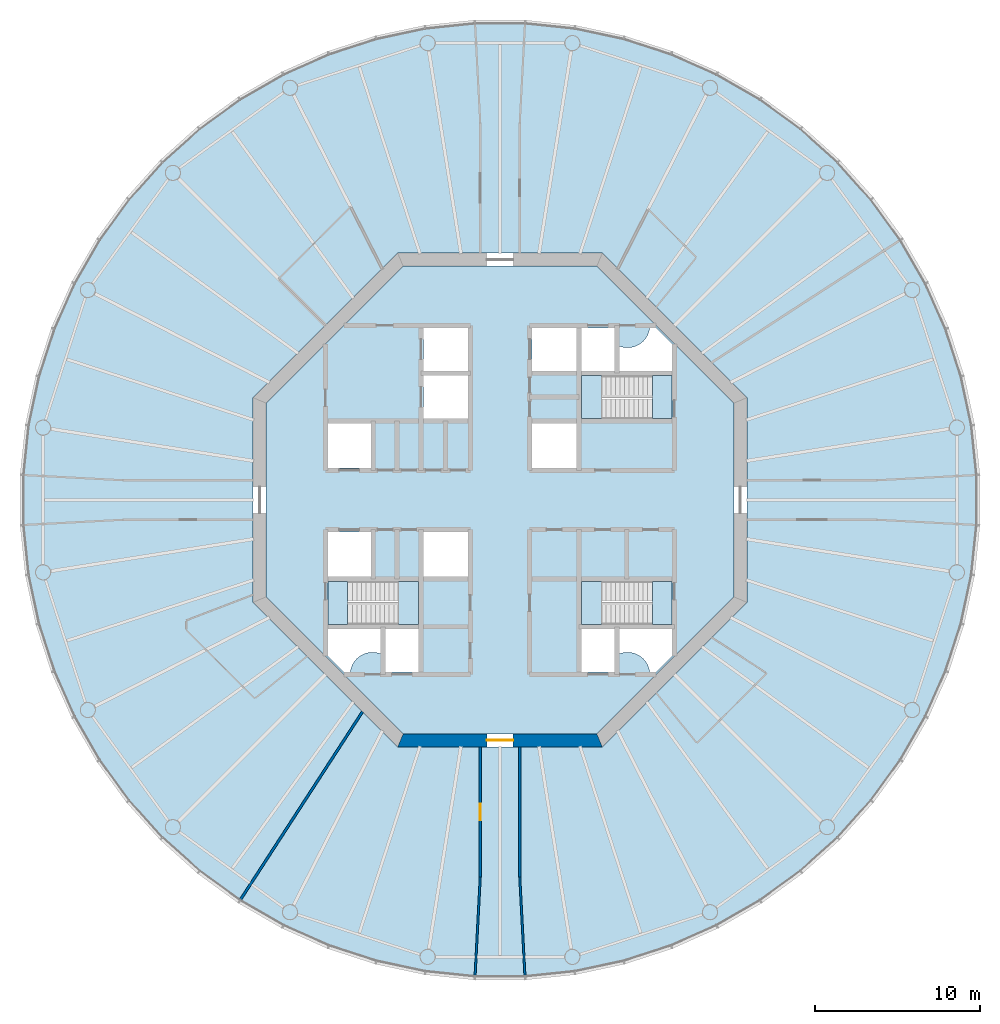
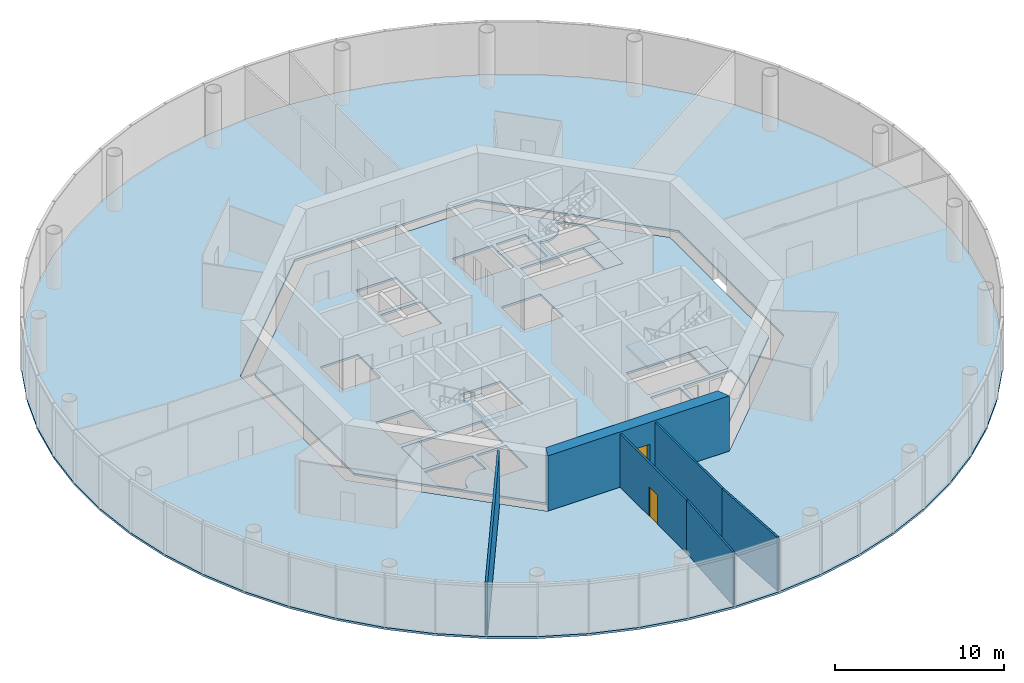
# One storey, part 2 of 13: 8 slabs, 6 walls, 2 doors, 2 openings, 3 elements without a shape of their own.
"""IFC4 building model written with IfcOpenShell, lengths in metres."""

from ifc_helpers import new_model, si_unit, direction, frame, frame_2d, origin, place, context, subcontext, project, spatial, polyline, rectangle, outline, extrude, material, layer, layer_set, type_object, element, fill, aggregate, save


model = new_model("IFC4")

# Units and contexts
model_context = context("Model", 3, precision=1e-05, world=origin(), true_north=direction((0.0, 1.0)))
body_context = subcontext(model_context, "Body", "Model", "MODEL_VIEW")
ifc_project = project(units=[si_unit("LENGTHUNIT", "METRE"), si_unit("AREAUNIT", "SQUARE_METRE"), si_unit("VOLUMEUNIT", "CUBIC_METRE"), si_unit("PLANEANGLEUNIT", "RADIAN"), si_unit("MASSUNIT", "GRAM", prefix="KILO")], contexts=[model_context])

# Site, building, storey
site_placement = place(None, origin())
site = spatial("IfcSite", under=ifc_project, at=site_placement, CompositionType="ELEMENT")
building_placement = place(site_placement, origin())
building = spatial("IfcBuilding", under=site, at=building_placement, Name="Entoto Ring Tower", CompositionType="ELEMENT")
storey_placement = place(building_placement, frame((0.0, 0.0, 298.0)))
storey = spatial("IfcBuildingStorey", under=building, at=storey_placement, Name="L68", CompositionType="ELEMENT", Elevation=298.0)

# Slabs
ifc_material_1 = material(Name="Concrete C30/37", Category="concrete")
ifc_layer_1 = layer(ifc_material_1, 0.14990234375)
ifc_layer_set_1 = layer_set([ifc_layer_1], Name="Concrete C30/37")
slab_type_1 = type_object("IfcSlabType", Name="Composite floor slab 150 mm", PredefinedType="FLOOR", material=ifc_layer_set_1)
slab_1_placement = place(storey_placement, frame((0.0, 0.0, -0.14990234375)))
element("IfcSlab", 1, at=slab_1_placement, inside=storey, type_object=slab_type_1, Name="Floor slab L68", PredefinedType="FLOOR", context=body_context, shape_type="SweptSolid", body=[
    extrude(outline(polyline([(118.74169921875, 84.55224609375), (118.1083984375, 87.53173828125), (117.167236328125, 90.428466796875), (115.92822265625, 93.211181640625), (114.4052734375, 95.848876953125), (112.614990234375, 98.313232421875), (110.576904296875, 100.576904296875), (108.313232421875, 102.614990234375), (105.848876953125, 104.4052734375), (103.211181640625, 105.92822265625), (100.428466796875, 107.167236328125), (97.53173828125, 108.1083984375), (94.55224609375, 108.74169921875), (91.52294921875, 109.06005859375), (88.47705078125, 109.06005859375), (85.44775390625, 108.74169921875), (82.46826171875, 108.1083984375), (79.571533203125, 107.167236328125), (76.788818359375, 105.92822265625), (74.151123046875, 104.4052734375), (71.686767578125, 102.614990234375), (69.423095703125, 100.576904296875), (67.385009765625, 98.313232421875), (65.5947265625, 95.848876953125), (64.07177734375, 93.211181640625), (62.832763671875, 90.428466796875), (61.8916015625, 87.53173828125), (61.25830078125, 84.55224609375), (60.93994140625, 81.52294921875), (60.93994140625, 78.47705078125), (61.25830078125, 75.44775390625), (61.8916015625, 72.46826171875), (62.832763671875, 69.571533203125), (64.07177734375, 66.788818359375), (65.5947265625, 64.151123046875), (67.385009765625, 61.686767578125), (69.423095703125, 59.423095703125), (71.686767578125, 57.385009765625), (74.151123046875, 55.5947265625), (76.788818359375, 54.07177734375), (79.571533203125, 52.832763671875), (82.46826171875, 51.8916015625), (85.44775390625, 51.25830078125), (88.47705078125, 50.93994140625), (91.52294921875, 50.93994140625), (94.55224609375, 51.25830078125), (97.53173828125, 51.8916015625), (100.428466796875, 52.832763671875), (103.211181640625, 54.07177734375), (105.848876953125, 55.5947265625), (108.313232421875, 57.385009765625), (110.576904296875, 59.423095703125), (112.614990234375, 61.686767578125), (114.4052734375, 64.151123046875), (115.92822265625, 66.788818359375), (117.167236328125, 69.571533203125), (118.1083984375, 72.46826171875), (118.74169921875, 75.44775390625), (119.06005859375, 78.47705078125), (119.06005859375, 81.52294921875), (118.74169921875, 84.55224609375)]), holes=[polyline([(105.0, 73.786865234375), (105.0, 86.213134765625), (96.213134765625, 95.0), (83.786865234375, 95.0), (75.0, 86.213134765625), (75.0, 73.786865234375), (83.786865234375, 65.0), (96.213134765625, 65.0), (105.0, 73.786865234375)])]), origin(), (0.0, 0.0, 1.0), 0.14990234375),
])
ifc_material_2 = material(Name="Concrete C40/50", Category="concrete")
ifc_layer_2 = layer(ifc_material_2, 0.14990234375)
ifc_layer_set_2 = layer_set([ifc_layer_2], Name="Concrete C40/50")
slab_type_2 = type_object("IfcSlabType", Name="Core floor slab 150 mm reinforced concrete C40/50", PredefinedType="FLOOR", material=ifc_layer_set_2)
slab_2_placement = place(storey_placement, frame((0.0, 0.0, -0.14990234375)))
element("IfcSlab", 2, at=slab_2_placement, inside=storey, type_object=slab_type_2, Name="Core floor L68", PredefinedType="FLOOR", context=body_context, shape_type="SweptSolid", body=[
    extrude(outline(polyline([(104.199951171875, 74.1181640625), (104.199951171875, 85.8818359375), (95.8818359375, 94.199951171875), (84.1181640625, 94.199951171875), (75.800048828125, 85.8818359375), (75.800048828125, 74.1181640625), (84.1181640625, 65.800048828125), (95.8818359375, 65.800048828125), (104.199951171875, 74.1181640625)]), holes=[polyline([(100.449951171875, 84.949951171875), (100.449951171875, 87.550048828125), (94.949951171875, 87.550048828125), (94.949951171875, 84.949951171875), (100.449951171875, 84.949951171875)]), polyline([(85.050048828125, 72.449951171875), (85.050048828125, 75.050048828125), (79.550048828125, 75.050048828125), (79.550048828125, 72.449951171875), (85.050048828125, 72.449951171875)]), polyline([(100.449951171875, 72.449951171875), (100.449951171875, 75.050048828125), (94.949951171875, 75.050048828125), (94.949951171875, 72.449951171875), (100.449951171875, 72.449951171875)]), polyline([(94.949951171875, 90.449951171875), (94.949951171875, 87.85009765625), (96.949951171875, 87.85009765625), (96.949951171875, 90.449951171875), (94.949951171875, 90.449951171875)]), polyline([(94.949951171875, 72.14990234375), (94.949951171875, 69.550048828125), (96.949951171875, 69.550048828125), (96.949951171875, 72.14990234375), (94.949951171875, 72.14990234375)]), polyline([(83.050048828125, 72.14990234375), (83.050048828125, 69.550048828125), (85.050048828125, 69.550048828125), (85.050048828125, 72.14990234375), (83.050048828125, 72.14990234375)]), polyline([(79.550048828125, 81.949951171875), (82.14990234375, 81.949951171875), (82.14990234375, 84.64990234375), (79.550048828125, 84.64990234375), (79.550048828125, 81.949951171875)]), polyline([(79.550048828125, 75.35009765625), (82.14990234375, 75.35009765625), (82.14990234375, 78.050048828125), (79.550048828125, 78.050048828125), (79.550048828125, 75.35009765625)]), polyline([(91.949951171875, 87.85009765625), (94.64990234375, 87.85009765625), (94.64990234375, 90.449951171875), (91.949951171875, 90.449951171875), (91.949951171875, 87.85009765625)]), polyline([(91.949951171875, 81.949951171875), (94.64990234375, 81.949951171875), (94.64990234375, 84.64990234375), (91.949951171875, 84.64990234375), (91.949951171875, 81.949951171875)]), polyline([(85.35009765625, 75.35009765625), (88.050048828125, 75.35009765625), (88.050048828125, 78.050048828125), (85.35009765625, 78.050048828125), (85.35009765625, 75.35009765625)]), polyline([(85.35009765625, 84.949951171875), (88.050048828125, 84.949951171875), (88.050048828125, 87.550048828125), (85.35009765625, 87.550048828125), (85.35009765625, 84.949951171875)]), polyline([(85.35009765625, 87.85009765625), (88.050048828125, 87.85009765625), (88.050048828125, 90.449951171875), (85.35009765625, 90.449951171875), (85.35009765625, 87.85009765625)]), polyline([(97.199951171875, 89.368408203125), (97.199951171875, 87.800048828125), (100.5, 87.800048828125), (100.5, 89.4404296875), (99.4404296875, 90.5), (99.09521484375, 90.5), (99.093505859375, 90.4677734375), (99.07421875, 90.336669921875), (99.0419921875, 90.2080078125), (98.997314453125, 90.08349609375), (98.940673828125, 89.963623046875), (98.87255859375, 89.85009765625), (98.793701171875, 89.74365234375), (98.70458984375, 89.6455078125), (98.6064453125, 89.556396484375), (98.5, 89.4775390625), (98.386474609375, 89.409423828125), (98.2666015625, 89.352783203125), (98.141845703125, 89.30810546875), (98.013427734375, 89.27587890625), (97.88232421875, 89.256591796875), (97.75, 89.25), (97.61767578125, 89.256591796875), (97.486572265625, 89.27587890625), (97.358154296875, 89.30810546875), (97.2333984375, 89.352783203125), (97.199951171875, 89.368408203125)]), polyline([(80.5595703125, 69.5), (80.90478515625, 69.5), (80.906494140625, 69.5322265625), (80.92578125, 69.663330078125), (80.9580078125, 69.7919921875), (81.002685546875, 69.91650390625), (81.059326171875, 70.036376953125), (81.12744140625, 70.14990234375), (81.206298828125, 70.25634765625), (81.29541015625, 70.3544921875), (81.3935546875, 70.443603515625), (81.5, 70.5224609375), (81.613525390625, 70.590576171875), (81.7333984375, 70.647216796875), (81.858154296875, 70.69189453125), (81.986572265625, 70.72412109375), (82.11767578125, 70.743408203125), (82.25, 70.75), (82.38232421875, 70.743408203125), (82.513427734375, 70.72412109375), (82.641845703125, 70.69189453125), (82.7666015625, 70.647216796875), (82.800048828125, 70.631591796875), (82.800048828125, 72.199951171875), (79.5, 72.199951171875), (79.5, 70.5595703125), (80.5595703125, 69.5)]), polyline([(99.09521484375, 69.5), (99.4404296875, 69.5), (100.5, 70.5595703125), (100.5, 72.199951171875), (97.199951171875, 72.199951171875), (97.199951171875, 70.631591796875), (97.2333984375, 70.647216796875), (97.358154296875, 70.69189453125), (97.486572265625, 70.72412109375), (97.61767578125, 70.743408203125), (97.75, 70.75), (97.88232421875, 70.743408203125), (98.013427734375, 70.72412109375), (98.141845703125, 70.69189453125), (98.2666015625, 70.647216796875), (98.386474609375, 70.590576171875), (98.5, 70.5224609375), (98.6064453125, 70.443603515625), (98.70458984375, 70.3544921875), (98.793701171875, 70.25634765625), (98.87255859375, 70.14990234375), (98.940673828125, 70.036376953125), (98.997314453125, 69.91650390625), (99.0419921875, 69.7919921875), (99.07421875, 69.663330078125), (99.093505859375, 69.5322265625), (99.09521484375, 69.5)])]), origin(), (0.0, 0.0, 1.0), 0.14990234375),
])

# Stair, slabs
ifc_material_3 = material(Name="Concrete C40/50", Category="concrete")
stair_type = type_object("IfcStairType", Name="Exit stair 1200 mm dog-leg reinforced concrete", PredefinedType="HALF_TURN_STAIR", material=ifc_material_3)
stair_1_placement = place(storey_placement, origin())
stair_1 = element("IfcStair", 3, at=stair_1_placement, inside=storey, type_object=stair_type, Name="Exit stair 1", PredefinedType="HALF_TURN_STAIR")
ifc_material_4 = material(Name="Concrete C40/50", Category="concrete")
ifc_layer_3 = layer(ifc_material_4, 0.199951171875)
ifc_layer_set_3 = layer_set([ifc_layer_3], Name="Concrete C40/50")
slab_type_3 = type_object("IfcSlabType", Name="Stair landing 200 mm reinforced concrete", PredefinedType="LANDING", material=ifc_layer_set_3)
slab_3_placement = place(storey_placement, frame((0.0, 0.0, -0.199951171875)))
slab_3 = element("IfcSlab", 4, at=slab_3_placement, type_object=slab_type_3, Name="ST1 landing 1", PredefinedType="LANDING", context=body_context, shape_type="SweptSolid", body=[
    extrude(outline(polyline([(100.449951171875, 84.949951171875), (100.449951171875, 87.550048828125), (99.25, 87.550048828125), (99.25, 84.949951171875), (100.449951171875, 84.949951171875)])), origin(), (0.0, 0.0, 1.0), 0.199951171875),
])
slab_4_placement = place(storey_placement, frame((0.0, 0.0, 1.800048828125)))
slab_4 = element("IfcSlab", 5, at=slab_4_placement, type_object=slab_type_3, Name="ST1 landing 2", PredefinedType="LANDING", context=body_context, shape_type="SweptSolid", body=[
    extrude(outline(polyline([(94.949951171875, 84.949951171875), (96.169921875, 84.949951171875), (96.169921875, 87.550048828125), (94.949951171875, 87.550048828125), (94.949951171875, 84.949951171875)])), origin(), (0.0, 0.0, 1.0), 0.199951171875),
])
aggregate(stair_1, [slab_3, slab_4])

stair_2_placement = place(storey_placement, origin())
stair_2 = element("IfcStair", 6, at=stair_2_placement, inside=storey, type_object=stair_type, Name="Exit stair 2", PredefinedType="HALF_TURN_STAIR")
slab_5_placement = place(storey_placement, frame((0.0, 0.0, -0.199951171875)))
slab_5 = element("IfcSlab", 7, at=slab_5_placement, type_object=slab_type_3, Name="ST2 landing 1", PredefinedType="LANDING", context=body_context, shape_type="SweptSolid", body=[
    extrude(outline(polyline([(80.75, 72.449951171875), (80.75, 75.050048828125), (79.550048828125, 75.050048828125), (79.550048828125, 72.449951171875), (80.75, 72.449951171875)])), origin(), (0.0, 0.0, 1.0), 0.199951171875),
])
slab_6_placement = place(storey_placement, frame((0.0, 0.0, 1.800048828125)))
slab_6 = element("IfcSlab", 8, at=slab_6_placement, type_object=slab_type_3, Name="ST2 landing 2", PredefinedType="LANDING", context=body_context, shape_type="SweptSolid", body=[
    extrude(outline(polyline([(83.830078125, 72.449951171875), (85.050048828125, 72.449951171875), (85.050048828125, 75.050048828125), (83.830078125, 75.050048828125), (83.830078125, 72.449951171875)])), origin(), (0.0, 0.0, 1.0), 0.199951171875),
])
aggregate(stair_2, [slab_5, slab_6])

stair_3_placement = place(storey_placement, origin())
stair_3 = element("IfcStair", 9, at=stair_3_placement, inside=storey, type_object=stair_type, Name="Exit stair 3", PredefinedType="HALF_TURN_STAIR")
slab_7_placement = place(storey_placement, frame((0.0, 0.0, -0.199951171875)))
slab_7 = element("IfcSlab", 10, at=slab_7_placement, type_object=slab_type_3, Name="ST3 landing 1", PredefinedType="LANDING", context=body_context, shape_type="SweptSolid", body=[
    extrude(outline(polyline([(100.449951171875, 72.449951171875), (100.449951171875, 75.050048828125), (99.25, 75.050048828125), (99.25, 72.449951171875), (100.449951171875, 72.449951171875)])), origin(), (0.0, 0.0, 1.0), 0.199951171875),
])
slab_8_placement = place(storey_placement, frame((0.0, 0.0, 1.800048828125)))
slab_8 = element("IfcSlab", 11, at=slab_8_placement, type_object=slab_type_3, Name="ST3 landing 2", PredefinedType="LANDING", context=body_context, shape_type="SweptSolid", body=[
    extrude(outline(polyline([(94.949951171875, 72.449951171875), (96.169921875, 72.449951171875), (96.169921875, 75.050048828125), (94.949951171875, 75.050048828125), (94.949951171875, 72.449951171875)])), origin(), (0.0, 0.0, 1.0), 0.199951171875),
])
aggregate(stair_3, [slab_7, slab_8])

# Wall, opening, door
ifc_material_5 = material(Name="Concrete C40/50", Category="concrete")
ifc_layer_4 = layer(ifc_material_5, 0.800048828125)
ifc_layer_set_4 = layer_set([ifc_layer_4], Name="Concrete C40/50")
wall_type_1 = type_object("IfcWallType", Name="Core shear wall 800 mm reinforced concrete C40/50", PredefinedType="SHEAR", material=ifc_layer_set_4)
wall_1_placement = place(storey_placement, frame((83.952392578125, 65.39990234375, 0.0), z_axis=(0.0, 0.0, 1.0), x_axis=(1.0, 0.0, 0.0)))
wall_1 = element("IfcWall", 12, at=wall_1_placement, inside=storey, type_object=wall_type_1, Name="wall-L68-core-6", PredefinedType="SHEAR", context=body_context, shape_type="SweptSolid", body=[
    extrude(outline(polyline([(-0.165771484375, -0.39990234375), (12.260986328125, -0.39990234375), (11.929443359375, 0.39990234375), (0.165771484375, 0.39990234375), (-0.165771484375, -0.39990234375)])), origin(), (0.0, 0.0, 1.0), 4.0),
])
opening_1_placement = place(wall_1_placement, frame((5.24755859375, 0.0, 0.0)))
opening_1 = element("IfcOpeningElement", 13, at=opening_1_placement, cuts=wall_1, Name="Opening K-04", PredefinedType="OPENING", context=body_context, shape_type="SweptSolid", body=[
    extrude(rectangle(XDim=1.60009765625, YDim=2.39990234375, at=frame_2d((0.800048828125, 1.199951171875))), frame((0.0, 0.41015625, 0.0), z_axis=(0.0, -1.0, 0.0), x_axis=(1.0, 0.0, 0.0)), (0.0, 0.0, 1.0), 0.820068359375),
])
ifc_material_6 = material(Name="Steel door leaf, fire rated", Category="steel")
ifc_layer_5 = layer(ifc_material_6, 0.050048828125)
ifc_layer_set_5 = layer_set([ifc_layer_5], Name="Steel door leaf, fire rated")
door_type_1 = type_object("IfcDoorType", Name="Entrance door FD60 1600 x 2400 double leaf", OperationType="DOUBLE_DOOR_SINGLE_SWING", PredefinedType="DOOR", material=ifc_layer_set_5)
door_1_placement = place(opening_1_placement, origin())
door_1 = element("IfcDoor", 14, at=door_1_placement, inside=storey, type_object=door_type_1, Name="Entrance door K-04", OperationType="DOUBLE_DOOR_SINGLE_SWING", OverallHeight=2.39990234375, OverallWidth=1.60009765625, PredefinedType="DOOR", context=body_context, shape_type="SweptSolid", body=[
    extrude(rectangle(XDim=1.60009765625, YDim=2.39990234375, at=frame_2d((0.800048828125, 1.199951171875))), frame((0.0, 0.02490234375, 0.0), z_axis=(0.0, -1.0, 0.0), x_axis=(1.0, 0.0, 0.0)), (0.0, 0.0, 1.0), 0.050048828125),
])
fill(opening_1, door_1)

ifc_material_7 = material(Name="Fire-resisting plasterboard on steel studs", Category="steel")
ifc_layer_6 = layer(ifc_material_7, 0.125)
ifc_layer_set_6 = layer_set([ifc_layer_6], Name="Fire-resisting plasterboard on steel studs")
wall_type_2 = type_object("IfcWallType", Name="Corridor wall 125 mm one-hour plasterboard on steel studs", PredefinedType="PARTITIONING", material=ifc_layer_set_6)
wall_2_placement = place(storey_placement, frame((88.800048828125, 57.1025390625, 0.0), z_axis=(0.0, 0.0, 1.0), x_axis=(0.0, 1.0, 0.0)))
wall_2 = element("IfcWall", 15, at=wall_2_placement, inside=storey, type_object=wall_type_2, Name="partition-L68-003", PredefinedType="PARTITIONING", context=body_context, shape_type="SweptSolid", body=[
    extrude(rectangle(XDim=7.8974609375, YDim=0.125, at=frame_2d((3.94873046875, 0.0))), origin(), (0.0, 0.0, 1.0), 3.85009765625),
])
opening_2_placement = place(wall_2_placement, frame((3.44873046875, 0.0, 0.0)))
opening_2 = element("IfcOpeningElement", 16, at=opening_2_placement, cuts=wall_2, Name="Opening A30-D08", PredefinedType="OPENING", context=body_context, shape_type="SweptSolid", body=[
    extrude(rectangle(XDim=1.0, YDim=2.10009765625, at=frame_2d((0.5, 1.050048828125))), frame((0.0, 0.072509765625, 0.0), z_axis=(0.0, -1.0, 0.0), x_axis=(1.0, 0.0, 0.0)), (0.0, 0.0, 1.0), 0.14501953125),
])
ifc_material_8 = material(Name="Fire-resisting timber door set", Category="wood")
door_type_2 = type_object("IfcDoorType", Name="Door 1000 x 2100 single leaf FD30S fire door", OperationType="NOTDEFINED", PredefinedType="DOOR", material=ifc_material_8)
door_2_placement = place(opening_2_placement, origin())
door_2 = element("IfcDoor", 17, at=door_2_placement, inside=storey, type_object=door_type_2, Name="Door A30-D08", OperationType="SINGLE_SWING_RIGHT", OverallHeight=2.10009765625, OverallWidth=1.0, PredefinedType="DOOR", context=body_context, shape_type="SweptSolid", body=[
    extrude(rectangle(XDim=1.0, YDim=2.10009765625, at=frame_2d((0.5, 1.050048828125))), frame((0.0, 0.02490234375, 0.0), z_axis=(0.0, -1.0, 0.0), x_axis=(1.0, 0.0, 0.0)), (0.0, 0.0, 1.0), 0.050048828125),
])
fill(opening_2, door_2)

# Walls
wall_3_placement = place(storey_placement, frame((91.199951171875, 57.1025390625, 0.0), z_axis=(0.0, 0.0, 1.0), x_axis=(0.0, 1.0, 0.0)))
element("IfcWall", 18, at=wall_3_placement, inside=storey, type_object=wall_type_2, Name="partition-L68-005", PredefinedType="PARTITIONING", context=body_context, shape_type="SweptSolid", body=[
    extrude(rectangle(XDim=7.8974609375, YDim=0.125, at=frame_2d((3.94873046875, 0.0))), origin(), (0.0, 0.0, 1.0), 3.85009765625),
])
for number, where, z_axis, x_axis, name in (
    (19, (88.4853515625, 51.099609375, 0.0), (0.0, 0.0, 1.0), (0.052339150565, 0.998629367342, 0.0), "partition-L68-011"),
    (20, (91.5146484375, 51.099609375, 0.0), (0.0, 0.0, 1.0), (-0.052339150565, 0.998629367342, 0.0), "partition-L68-014"),
):
    element("IfcWall", number, at=place(storey_placement, frame(where, z_axis=z_axis, x_axis=x_axis)), inside=storey, type_object=wall_type_2, Name=name, PredefinedType="PARTITIONING", context=body_context, shape_type="SweptSolid", body=[
        extrude(rectangle(XDim=6.008056640625, YDim=0.125, at=frame_2d((3.00390625, 0.0))), origin(), (0.0, 0.0, 1.0), 3.85009765625),
    ])
ifc_material_9 = material(Name="Fire-resisting acoustic plasterboard on steel studs", Category="steel")
ifc_layer_7 = layer(ifc_material_9, 0.14990234375)
ifc_layer_set_7 = layer_set([ifc_layer_7], Name="Fire-resisting acoustic plasterboard on steel studs")
wall_type_3 = type_object("IfcWallType", Name="Party wall 150 mm one-hour acoustic plasterboard on steel studs", PredefinedType="PARTITIONING", material=ifc_layer_set_7)
wall_4_placement = place(storey_placement, frame((74.238037109375, 55.72900390625, 0.0), z_axis=(0.0, 0.0, 1.0), x_axis=(0.544650850813, 0.838662894558, 0.0)))
element("IfcWall", 21, at=wall_4_placement, inside=storey, type_object=wall_type_3, Name="partition-L68-017", PredefinedType="PARTITIONING", context=body_context, shape_type="SweptSolid", body=[
    extrude(rectangle(XDim=13.60498046875, YDim=0.14990234375, at=frame_2d((6.802490234375, 0.0))), origin(), (0.0, 0.0, 1.0), 3.85009765625),
])

save(model, "model.ifc")
